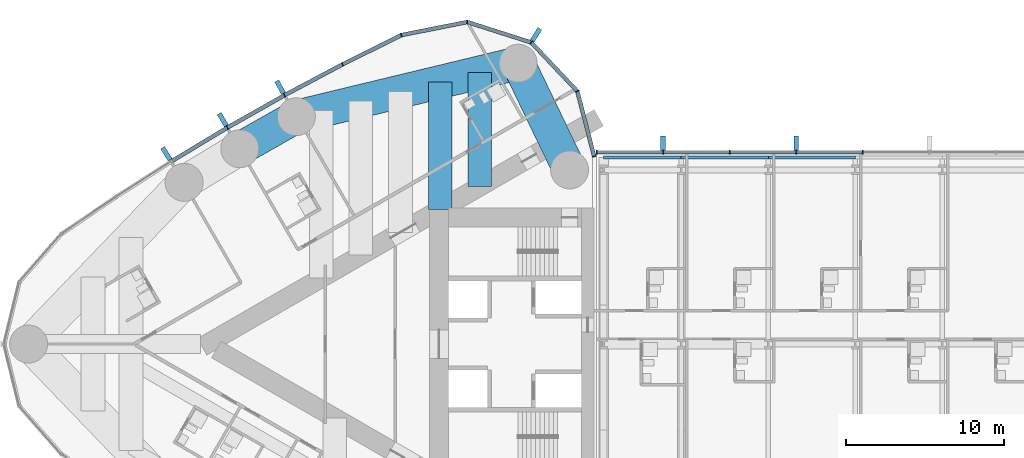
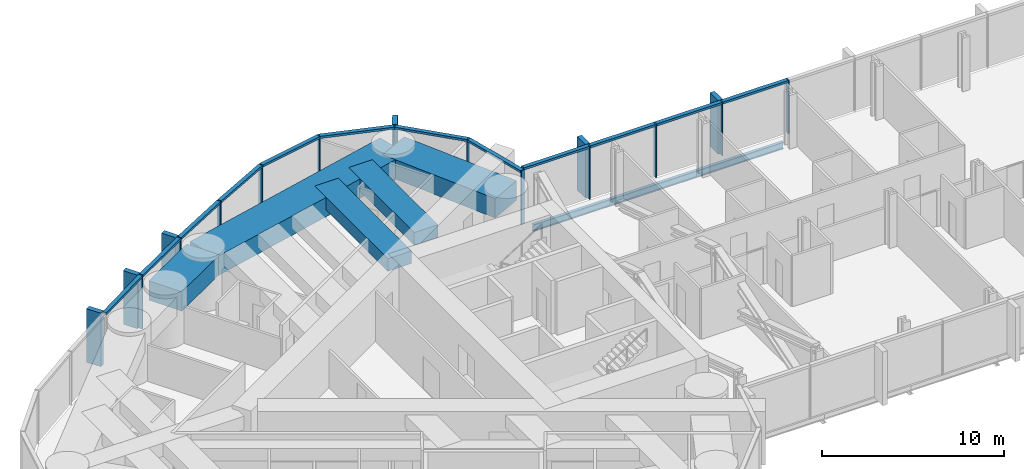
# One storey, part 5 of 22: 31 members, 8 beams, 2 elements without a shape of their own.
"""IFC4 building model written with IfcOpenShell, lengths in metres."""

import ifcopenshell
import ifcopenshell.guid

model = None  # the IFC model being written
_history = None  # IfcOwnerHistory: only IFC2X3 demands one
_inside = {}  # id of a spatial element -> (the spatial element, [elements in it])
_under = {}  # id of a project, library or spatial element -> (it, [spatial elements below it])
_declared = {}  # id of a project -> (the project, [libraries it declares])
_typed = {}  # id of a type object -> (the type object, [elements of that type])
_made_of = {}  # id of a material, layer set ... -> (it, [elements and type objects made of it])


def new_model(schema):
    """Start an empty IFC model of exactly this schema.

    Asked for "IFC4X3", IfcOpenShell would pick the latest addendum, in which some entities
    have other attributes; the version numbers below select the first issue.
    IFC2X3 requires an IfcOwnerHistory on every rooted entity: one is made here for all.
    """
    global model, _history
    if schema == "IFC4X3":
        model = ifcopenshell.file(schema_version=(4, 3, 0, 0))
    else:
        model = ifcopenshell.file(schema=schema)
    _inside.clear()
    _under.clear()
    _declared.clear()
    _typed.clear()
    _made_of.clear()
    _history = None
    if model.schema == "IFC2X3":
        org = make("IfcOrganization", Name="unknown")
        user = make(
            "IfcPersonAndOrganization",
            ThePerson=make("IfcPerson", FamilyName="unknown"),
            TheOrganization=org,
        )
        app = make(
            "IfcApplication",
            ApplicationDeveloper=org,
            Version="unknown",
            ApplicationFullName="unknown",
            ApplicationIdentifier="unknown",
        )
        _history = make(
            "IfcOwnerHistory",
            OwningUser=user,
            OwningApplication=app,
            ChangeAction="ADDED",
            CreationDate=0,
        )
    return model


def make(cls, **values):
    """One entity of the class cls with the attributes given. An attribute that is None is left unset."""
    return model.create_entity(
        cls, **{name: value for name, value in values.items() if value is not None}
    )


def rooted(cls, **values):
    """An entity with a GlobalId (a new one), such as an element, a storey or a relation."""
    return make(cls, GlobalId=ifcopenshell.guid.new(), OwnerHistory=_history, **values)


def si_unit(unit_type, name, prefix=None):
    """IfcSIUnit, for example si_unit("LENGTHUNIT", "METRE", prefix="MILLI")."""
    return make("IfcSIUnit", UnitType=unit_type, Prefix=prefix, Name=name)


def assignment(units):
    """IfcUnitAssignment: the units of a project."""
    return None if units is None else make("IfcUnitAssignment", Units=units)


def point(xyz):
    """IfcCartesianPoint."""
    return None if xyz is None else make("IfcCartesianPoint", Coordinates=xyz)


def direction(xyz):
    """IfcDirection."""
    return None if xyz is None else make("IfcDirection", DirectionRatios=xyz)


def frame(location, z_axis=None, x_axis=None):
    """IfcAxis2Placement3D, a coordinate frame: its origin and axes. An axis left out is left unset."""
    return make(
        "IfcAxis2Placement3D",
        Location=point(location),
        Axis=direction(z_axis),
        RefDirection=direction(x_axis),
    )


def frame_2d(location, x_axis=None):
    """IfcAxis2Placement2D, a coordinate frame in the plane: its origin and x axis."""
    return make(
        "IfcAxis2Placement2D", Location=point(location), RefDirection=direction(x_axis)
    )


def origin():
    """The frame at (0, 0, 0) with its axes left unset."""
    return frame((0.0, 0.0, 0.0))


def origin_2d():
    """The frame at (0, 0) in the plane with its x axis left unset."""
    return frame_2d((0.0, 0.0))


def place(relative_to, where):
    """IfcLocalPlacement: puts the frame where relative to a parent placement (None: the world)."""
    return make(
        "IfcLocalPlacement", PlacementRelTo=relative_to, RelativePlacement=where
    )


def context(
    kind, dimensions, precision=None, world=None, true_north=None, identifier=None
):
    """IfcGeometricRepresentationContext, for example the 3D "Model" context."""
    return make(
        "IfcGeometricRepresentationContext",
        ContextIdentifier=identifier,
        ContextType=kind,
        CoordinateSpaceDimension=dimensions,
        Precision=precision,
        WorldCoordinateSystem=world,
        TrueNorth=true_north,
    )


def subcontext(parent, identifier, kind, view, scale=None):
    """IfcGeometricRepresentationSubContext, for example "Body" below "Model"."""
    return make(
        "IfcGeometricRepresentationSubContext",
        ContextIdentifier=identifier,
        ContextType=kind,
        ParentContext=parent,
        TargetScale=scale,
        TargetView=view,
    )


def project(units=None, contexts=None):
    """IfcProject with its units and contexts."""
    return rooted(
        "IfcProject",
        Name="project",
        RepresentationContexts=contexts,
        UnitsInContext=assignment(units),
    )


def spatial(cls, under=None, at=None, **own):
    """A site, building, storey or space (cls), placed at a placement, below another one or the project."""
    s = rooted(cls, ObjectPlacement=at, **own)
    if under is not None:
        _under.setdefault(under.id(), (under, []))[1].append(s)
    return s


def profile(cls, at=None, kind="AREA", **sizes):
    """A parametric profile (cls). Its sizes go by their IFC names, for example OverallWidth=200.0."""
    return make(cls, ProfileType=kind, Position=at, **sizes)


def rectangle(**sizes):
    """IfcRectangleProfileDef."""
    return profile("IfcRectangleProfileDef", **sizes)


def i_section(**sizes):
    """IfcIShapeProfileDef."""
    return profile("IfcIShapeProfileDef", **sizes)


def extrude(swept, where, along, depth):
    """IfcExtrudedAreaSolid: the profile swept, set in the frame where, extruded along a direction by depth."""
    return make(
        "IfcExtrudedAreaSolid",
        SweptArea=swept,
        Position=where,
        ExtrudedDirection=direction(along),
        Depth=depth,
    )


def shape(context_of_items, identifier, shape_type, items):
    """IfcShapeRepresentation: the items that make up one representation, for example the "Body"."""
    return make(
        "IfcShapeRepresentation",
        ContextOfItems=context_of_items,
        RepresentationIdentifier=identifier,
        RepresentationType=shape_type,
        Items=items,
    )


def material(Name=None, Category=None):
    """IfcMaterial."""
    return make("IfcMaterial", Name=Name, Category=Category)


def material_profile(
    of_material, cross_section, Name=None, Category=None, Priority=None
):
    """IfcMaterialProfile: a cross section and its material."""
    return make(
        "IfcMaterialProfile",
        Name=Name,
        Material=of_material,
        Profile=cross_section,
        Priority=Priority,
        Category=Category,
    )


def profile_set(profiles, Name=None, composite=None):
    """IfcMaterialProfileSet."""
    return make(
        "IfcMaterialProfileSet",
        Name=Name,
        MaterialProfiles=profiles,
        CompositeProfile=composite,
    )


def made_of(thing, what):
    """Note that an element or type object is made of a material, layer set ...; save() writes the relation."""
    if what is not None:
        _made_of.setdefault(what.id(), (what, []))[1].append(thing)
    return thing


def type_object(cls, material=None, **own):
    """A type object (cls), such as IfcWallType, which elements share."""
    return made_of(rooted(cls, **own), material)


def element(
    cls,
    number,
    at=None,
    inside=None,
    cuts=None,
    type_object=None,
    material=None,
    context=None,
    identifier="Body",
    shape_type=None,
    held_by="IfcProductDefinitionShape",
    body=None,
    shapes=None,
    **own,
):
    """One element of the class cls, such as IfcWall. Its Tag is "e" and its number.

    at: its placement. inside: the storey or other place that contains it. cuts: it is an
    opening in that element (IfcRelVoidsElement). A single representation is given by context,
    identifier, shape_type and body (its items); several are given by shapes. held_by: the class
    of the entity that holds the representations. save() writes the other relations.
    """
    e = rooted(cls, Tag="e%d" % number, ObjectPlacement=at, **own)
    if body is not None:
        shapes = [shape(context, identifier, shape_type, body)]
    if shapes is not None:
        e.Representation = make(held_by, Representations=shapes)
    if inside is not None:
        _inside.setdefault(inside.id(), (inside, []))[1].append(e)
    if cuts is not None:
        rooted(
            "IfcRelVoidsElement", RelatingBuildingElement=cuts, RelatedOpeningElement=e
        )
    if type_object is not None:
        _typed.setdefault(type_object.id(), (type_object, []))[1].append(e)
    return made_of(e, material)


def aggregate(whole, parts):
    """IfcRelAggregates: a whole, such as a stair, and the parts it consists of."""
    return rooted("IfcRelAggregates", RelatingObject=whole, RelatedObjects=parts)


def save(model, path):
    """Write the relations noted so far, then the file.

    IfcRelAggregates (storeys below a building ...), IfcRelContainedInSpatialStructure (elements
    in a storey), IfcRelDefinesByType, IfcRelAssociatesMaterial and IfcRelDeclares: one each for
    every whole, place, type object, material and project.
    """
    for whole, parts in _under.values():
        aggregate(whole, parts)
    for where, things in _inside.values():
        rooted(
            "IfcRelContainedInSpatialStructure",
            RelatedElements=things,
            RelatingStructure=where,
        )
    for kind, things in _typed.values():
        rooted("IfcRelDefinesByType", RelatedObjects=things, RelatingType=kind)
    for what, things in _made_of.values():
        rooted("IfcRelAssociatesMaterial", RelatedObjects=things, RelatingMaterial=what)
    for by, libraries in _declared.values():
        rooted("IfcRelDeclares", RelatingContext=by, RelatedDefinitions=libraries)
    model.write(path)


model = new_model("IFC4")

# Units and contexts
model_context = context("Model", 3, precision=1e-05, world=origin(), true_north=direction((0.0, 1.0)))
body_context = subcontext(model_context, "Body", "Model", "MODEL_VIEW")
ifc_project = project(units=[si_unit("LENGTHUNIT", "METRE"), si_unit("AREAUNIT", "SQUARE_METRE"), si_unit("VOLUMEUNIT", "CUBIC_METRE"), si_unit("PLANEANGLEUNIT", "RADIAN"), si_unit("MASSUNIT", "GRAM", prefix="KILO")], contexts=[model_context])

# Site, building, storey
site_placement = place(None, origin())
site = spatial("IfcSite", under=ifc_project, at=site_placement, CompositionType="ELEMENT")
building_placement = place(site_placement, origin())
building = spatial("IfcBuilding", under=site, at=building_placement, Name="Lancet Gate Hotel", CompositionType="ELEMENT")
storey_placement = place(building_placement, frame((0.0, 0.0, 229.699951171875)))
storey = spatial("IfcBuildingStorey", under=building, at=storey_placement, Name="L61", CompositionType="ELEMENT", Elevation=229.699951171875)

# Curtain wall, members
ifc_material_1 = material(Name="Aluminium curtain wall", Category="aluminium")
curtain_wall_type_1 = type_object("IfcCurtainWallType", Name="Tower unitised curtain wall", PredefinedType="USERDEFINED", material=ifc_material_1)
curtain_wall_1_placement = place(storey_placement, origin())
curtain_wall_1 = element("IfcCurtainWall", 1, at=curtain_wall_1_placement, inside=storey, type_object=curtain_wall_type_1, Name="T1 L61 curtain wall 1", ObjectType="UNITISED CURTAIN WALL", PredefinedType="USERDEFINED")
ifc_material_2 = material(Name="Aluminium mullion", Category="aluminium")
ifc_material_profile_1 = material_profile(ifc_material_2, rectangle(XDim=0.06494140625, YDim=0.25, at=origin_2d()), Name="MULLION 65x250")
ifc_profile_set_1 = profile_set([ifc_material_profile_1], Name="Aluminium mullion")
member_type_1 = type_object("IfcMemberType", Name="Aluminium mullion 65x250", PredefinedType="MULLION", material=ifc_profile_set_1)
member_1_placement = place(storey_placement, frame((-27.5, 11.861572265625, 0.0), z_axis=(0.0, 0.0, 1.0), x_axis=(-0.249725827997, 0.968316586056, 0.0)))
member_1 = element("IfcMember", 2, at=member_1_placement, type_object=member_type_1, Name="T1 L61 curtain wall 1 mullion 1", PredefinedType="MULLION", context=body_context, shape_type="SweptSolid", body=[
    extrude(rectangle(XDim=0.06494140625, YDim=0.25, at=origin_2d()), origin(), (0.0, 0.0, 1.0), 3.60009765625),
])
member_2_placement = place(storey_placement, frame((-28.56005859375, 15.97216796875, 0.0), z_axis=(0.0, 0.0, 1.0), x_axis=(-0.483627322447, 0.875274021654, 0.0)))
member_2 = element("IfcMember", 3, at=member_2_placement, type_object=member_type_1, Name="T1 L61 curtain wall 1 mullion 2", PredefinedType="MULLION", context=body_context, shape_type="SweptSolid", body=[
    extrude(rectangle(XDim=0.06494140625, YDim=0.25, at=origin_2d()), origin(), (0.0, 0.0, 1.0), 3.60009765625),
])
member_3_placement = place(storey_placement, frame((-31.476318359375, 19.0576171875, 0.0), z_axis=(0.0, 0.0, 1.0), x_axis=(-0.846612863, 0.532209225966, 0.0)))
member_3 = element("IfcMember", 4, at=member_3_placement, type_object=member_type_1, Name="T1 L61 curtain wall 1 mullion 3", PredefinedType="MULLION", context=body_context, shape_type="SweptSolid", body=[
    extrude(rectangle(XDim=0.06494140625, YDim=0.25, at=origin_2d()), origin(), (0.0, 0.0, 1.0), 3.60009765625),
])
member_4_placement = place(storey_placement, frame((-35.520751953125, 20.347900390625, 0.0), z_axis=(0.0, 0.0, 1.0), x_axis=(-0.998409168318, 0.056383797491, 0.0)))
member_4 = element("IfcMember", 5, at=member_4_placement, type_object=member_type_1, Name="T1 L61 curtain wall 1 mullion 4", PredefinedType="MULLION", context=body_context, shape_type="SweptSolid", body=[
    extrude(rectangle(XDim=0.06494140625, YDim=0.25, at=origin_2d()), origin(), (0.0, 0.0, 1.0), 3.60009765625),
])
member_5_placement = place(storey_placement, frame((-39.684814453125, 19.521240234375, 0.0), z_axis=(0.0, 0.0, 1.0), x_axis=(-0.946887706423, -0.321564412561, 0.0)))
member_5 = element("IfcMember", 6, at=member_5_placement, type_object=member_type_1, Name="T1 L61 curtain wall 1 mullion 5", PredefinedType="MULLION", context=body_context, shape_type="SweptSolid", body=[
    extrude(rectangle(XDim=0.06494140625, YDim=0.25, at=origin_2d()), origin(), (0.0, 0.0, 1.0), 3.60009765625),
])
member_6_placement = place(storey_placement, frame((-43.3994140625, 17.67236328125, 0.0), z_axis=(0.0, 0.0, 1.0), x_axis=(-0.889155526065, -0.457605125046, 0.0)))
member_6 = element("IfcMember", 7, at=member_6_placement, type_object=member_type_1, Name="T1 L61 curtain wall 1 mullion 6", PredefinedType="MULLION", context=body_context, shape_type="SweptSolid", body=[
    extrude(rectangle(XDim=0.06494140625, YDim=0.25, at=origin_2d()), origin(), (0.0, 0.0, 1.0), 3.60009765625),
])
member_7_placement = place(storey_placement, frame((-47.062744140625, 15.72412109375, 0.0), z_axis=(0.0, 0.0, 1.0), x_axis=(-0.876516407283, -0.481371984815, 0.0)))
member_7 = element("IfcMember", 8, at=member_7_placement, type_object=member_type_1, Name="T1 L61 curtain wall 1 mullion 7", PredefinedType="MULLION", context=body_context, shape_type="SweptSolid", body=[
    extrude(rectangle(XDim=0.06494140625, YDim=0.25, at=origin_2d()), origin(), (0.0, 0.0, 1.0), 3.60009765625),
])
member_8_placement = place(storey_placement, frame((-50.67236328125, 13.677978515625, 0.0), z_axis=(0.0, 0.0, 1.0), x_axis=(-0.863242155108, -0.504790037189, 0.0)))
member_8 = element("IfcMember", 9, at=member_8_placement, type_object=member_type_1, Name="T1 L61 curtain wall 1 mullion 8", PredefinedType="MULLION", context=body_context, shape_type="SweptSolid", body=[
    extrude(rectangle(XDim=0.06494140625, YDim=0.25, at=origin_2d()), origin(), (0.0, 0.0, 1.0), 3.60009765625),
])

ifc_material_3 = material(Name="Aluminium curtain wall", Category="aluminium")
curtain_wall_type_2 = type_object("IfcCurtainWallType", Name="Bridge block curtain wall", PredefinedType="USERDEFINED", material=ifc_material_3)
curtain_wall_2_placement = place(storey_placement, origin())
curtain_wall_2 = element("IfcCurtainWall", 10, at=curtain_wall_2_placement, inside=storey, type_object=curtain_wall_type_2, Name="Bridge block L61 curtain wall N", ObjectType="UNITISED CURTAIN WALL", PredefinedType="USERDEFINED")
member_9_placement = place(storey_placement, frame((-10.519287109375, 12.1201171875, 0.0), z_axis=(0.0, 0.0, 1.0), x_axis=(-1.0, 0.0, 0.0)))
member_9 = element("IfcMember", 11, at=member_9_placement, type_object=member_type_1, Name="Bridge block L61 curtain wall N mullion 10", PredefinedType="MULLION", context=body_context, shape_type="SweptSolid", body=[
    extrude(rectangle(XDim=0.06494140625, YDim=0.25, at=origin_2d()), origin(), (0.0, 0.0, 1.0), 3.60009765625),
])
member_10_placement = place(storey_placement, frame((-14.726806640625, 12.1201171875, 0.0), z_axis=(0.0, 0.0, 1.0), x_axis=(-1.0, 0.0, 0.0)))
member_10 = element("IfcMember", 12, at=member_10_placement, type_object=member_type_1, Name="Bridge block L61 curtain wall N mullion 11", PredefinedType="MULLION", context=body_context, shape_type="SweptSolid", body=[
    extrude(rectangle(XDim=0.06494140625, YDim=0.25, at=origin_2d()), origin(), (0.0, 0.0, 1.0), 3.60009765625),
])
member_11_placement = place(storey_placement, frame((-18.9345703125, 12.1201171875, 0.0), z_axis=(0.0, 0.0, 1.0), x_axis=(-1.0, 0.0, 0.0)))
member_11 = element("IfcMember", 13, at=member_11_placement, type_object=member_type_1, Name="Bridge block L61 curtain wall N mullion 12", PredefinedType="MULLION", context=body_context, shape_type="SweptSolid", body=[
    extrude(rectangle(XDim=0.06494140625, YDim=0.25, at=origin_2d()), origin(), (0.0, 0.0, 1.0), 3.60009765625),
])
member_12_placement = place(storey_placement, frame((-23.142333984375, 12.1201171875, 0.0), z_axis=(0.0, 0.0, 1.0), x_axis=(-1.0, 0.0, 0.0)))
member_12 = element("IfcMember", 14, at=member_12_placement, type_object=member_type_1, Name="Bridge block L61 curtain wall N mullion 13", PredefinedType="MULLION", context=body_context, shape_type="SweptSolid", body=[
    extrude(rectangle(XDim=0.06494140625, YDim=0.25, at=origin_2d()), origin(), (0.0, 0.0, 1.0), 3.60009765625),
])
member_13_placement = place(storey_placement, frame((-27.35009765625, 12.1201171875, 0.0), z_axis=(0.0, 0.0, 1.0), x_axis=(-1.0, 0.0, 0.0)))
member_13 = element("IfcMember", 15, at=member_13_placement, type_object=member_type_1, Name="Bridge block L61 curtain wall N mullion 14", PredefinedType="MULLION", context=body_context, shape_type="SweptSolid", body=[
    extrude(rectangle(XDim=0.06494140625, YDim=0.25, at=origin_2d()), origin(), (0.0, 0.0, 1.0), 3.60009765625),
])

# Member
ifc_material_4 = material(Name="Aluminium transom", Category="aluminium")
ifc_material_profile_2 = material_profile(ifc_material_4, rectangle(XDim=0.25, YDim=0.14990234375, at=origin_2d()), Name="TRANSOM 250x150")
ifc_profile_set_2 = profile_set([ifc_material_profile_2], Name="Aluminium transom")
member_type_2 = type_object("IfcMemberType", Name="Aluminium transom 250x150", PredefinedType="USERDEFINED", material=ifc_profile_set_2)
member_14_placement = place(storey_placement, frame((-27.508056640625, 11.892822265625, 3.525146484375), z_axis=(-0.249715522936, 0.968319243641, 0.0), x_axis=(-0.968319243641, -0.249715522936, 0.0)))
member_14 = element("IfcMember", 16, at=member_14_placement, type_object=member_type_2, Name="T1 L61 curtain wall 1 transom 1", ObjectType="TRANSOM", PredefinedType="USERDEFINED", context=body_context, shape_type="SweptSolid", body=[
    extrude(rectangle(XDim=0.25, YDim=0.14990234375, at=origin_2d()), origin(), (0.0, 0.0, 1.0), 4.180419921875),
])

member_15_placement = place(storey_placement, frame((-28.58251953125, 15.995849609375, 3.525146484375), z_axis=(-0.686880731091, 0.726770157103, 0.0), x_axis=(-0.726770157103, -0.686880731091, 0.0)))
member_15 = element("IfcMember", 17, at=member_15_placement, type_object=member_type_2, Name="T1 L61 curtain wall 1 transom 2", ObjectType="TRANSOM", PredefinedType="USERDEFINED", context=body_context, shape_type="SweptSolid", body=[
    extrude(rectangle(XDim=0.25, YDim=0.14990234375, at=origin_2d()), origin(), (0.0, 0.0, 1.0), 4.18017578125),
])

member_16_placement = place(storey_placement, frame((-31.507080078125, 19.067626953125, 3.525146484375), z_axis=(-0.952697713775, 0.303919506068, 0.0), x_axis=(-0.303919506068, -0.952697713775, 0.0)))
member_16 = element("IfcMember", 18, at=member_16_placement, type_object=member_type_2, Name="T1 L61 curtain wall 1 transom 3", ObjectType="TRANSOM", PredefinedType="USERDEFINED", context=body_context, shape_type="SweptSolid", body=[
    extrude(rectangle(XDim=0.25, YDim=0.14990234375, at=origin_2d()), origin(), (0.0, 0.0, 1.0), 4.180419921875),
])

member_17_placement = place(storey_placement, frame((-35.552734375, 20.341552734375, 3.525146484375), z_axis=(-0.980858234867, -0.194723196085, 0.0), x_axis=(0.194723196085, -0.980858234867, 0.0)))
member_17 = element("IfcMember", 19, at=member_17_placement, type_object=member_type_2, Name="T1 L61 curtain wall 1 transom 4", ObjectType="TRANSOM", PredefinedType="USERDEFINED", context=body_context, shape_type="SweptSolid", body=[
    extrude(rectangle(XDim=0.25, YDim=0.14990234375, at=origin_2d()), origin(), (0.0, 0.0, 1.0), 4.18017578125),
])

member_18_placement = place(storey_placement, frame((-39.7138671875, 19.5068359375, 3.525146484375), z_axis=(-0.895226720479, -0.445610950202, 0.0), x_axis=(0.445610950202, -0.895226720479, 0.0)))
member_18 = element("IfcMember", 20, at=member_18_placement, type_object=member_type_2, Name="T1 L61 curtain wall 1 transom 5", ObjectType="TRANSOM", PredefinedType="USERDEFINED", context=body_context, shape_type="SweptSolid", body=[
    extrude(rectangle(XDim=0.25, YDim=0.14990234375, at=origin_2d()), origin(), (0.0, 0.0, 1.0), 4.08447265625),
])

member_19_placement = place(storey_placement, frame((-43.427978515625, 17.656982421875, 3.525146484375), z_axis=(-0.882944619844, -0.469477154171, 0.0), x_axis=(0.469477154171, -0.882944619844, 0.0)))
member_19 = element("IfcMember", 21, at=member_19_placement, type_object=member_type_2, Name="T1 L61 curtain wall 1 transom 6", ObjectType="TRANSOM", PredefinedType="USERDEFINED", context=body_context, shape_type="SweptSolid", body=[
    extrude(rectangle(XDim=0.25, YDim=0.14990234375, at=origin_2d()), origin(), (0.0, 0.0, 1.0), 4.084228515625),
])

member_20_placement = place(storey_placement, frame((-47.091064453125, 15.7080078125, 3.525146484375), z_axis=(-0.869977740049, -0.493090997503, 0.0), x_axis=(0.493090997503, -0.869977740049, 0.0)))
member_20 = element("IfcMember", 22, at=member_20_placement, type_object=member_type_2, Name="T1 L61 curtain wall 1 transom 7", ObjectType="TRANSOM", PredefinedType="USERDEFINED", context=body_context, shape_type="SweptSolid", body=[
    extrude(rectangle(XDim=0.25, YDim=0.14990234375, at=origin_2d()), origin(), (0.0, 0.0, 1.0), 4.084228515625),
])

member_21_placement = place(storey_placement, frame((-50.7001953125, 13.661376953125, 3.525146484375), z_axis=(-0.856362214892, -0.516375596737, 0.0), x_axis=(0.516375596737, -0.856362214892, 0.0)))
member_21 = element("IfcMember", 23, at=member_21_placement, type_object=member_type_2, Name="T1 L61 curtain wall 1 transom 8", ObjectType="TRANSOM", PredefinedType="USERDEFINED", context=body_context, shape_type="SweptSolid", body=[
    extrude(rectangle(XDim=0.25, YDim=0.14990234375, at=origin_2d()), origin(), (0.0, 0.0, 1.0), 4.08447265625),
])

member_22_placement = place(storey_placement, frame((-10.5517578125, 12.1201171875, 3.525146484375), z_axis=(-1.0, 0.0, 0.0), x_axis=(0.0, -1.0, 0.0)))
member_22 = element("IfcMember", 24, at=member_22_placement, type_object=member_type_2, Name="Bridge block L61 curtain wall N transom 10", ObjectType="TRANSOM", PredefinedType="USERDEFINED", context=body_context, shape_type="SweptSolid", body=[
    extrude(rectangle(XDim=0.25, YDim=0.14990234375, at=origin_2d()), origin(), (0.0, 0.0, 1.0), 4.142578125),
])

member_23_placement = place(storey_placement, frame((-14.759521484375, 12.1201171875, 3.525146484375), z_axis=(-1.0, 0.0, 0.0), x_axis=(0.0, -1.0, 0.0)))
member_23 = element("IfcMember", 25, at=member_23_placement, type_object=member_type_2, Name="Bridge block L61 curtain wall N transom 11", ObjectType="TRANSOM", PredefinedType="USERDEFINED", context=body_context, shape_type="SweptSolid", body=[
    extrude(rectangle(XDim=0.25, YDim=0.14990234375, at=origin_2d()), origin(), (0.0, 0.0, 1.0), 4.142578125),
])

member_24_placement = place(storey_placement, frame((-18.967041015625, 12.1201171875, 3.525146484375), z_axis=(-1.0, 0.0, 0.0), x_axis=(0.0, -1.0, 0.0)))
member_24 = element("IfcMember", 26, at=member_24_placement, type_object=member_type_2, Name="Bridge block L61 curtain wall N transom 12", ObjectType="TRANSOM", PredefinedType="USERDEFINED", context=body_context, shape_type="SweptSolid", body=[
    extrude(rectangle(XDim=0.25, YDim=0.14990234375, at=origin_2d()), origin(), (0.0, 0.0, 1.0), 4.142822265625),
])

member_25_placement = place(storey_placement, frame((-23.1748046875, 12.1201171875, 3.525146484375), z_axis=(-1.0, 0.0, 0.0), x_axis=(0.0, -1.0, 0.0)))
member_25 = element("IfcMember", 27, at=member_25_placement, type_object=member_type_2, Name="Bridge block L61 curtain wall N transom 13", ObjectType="TRANSOM", PredefinedType="USERDEFINED", context=body_context, shape_type="SweptSolid", body=[
    extrude(rectangle(XDim=0.25, YDim=0.14990234375, at=origin_2d()), origin(), (0.0, 0.0, 1.0), 4.142578125),
])

# Beams
ifc_material_5 = material(Name="Steel S355", Category="steel")
ifc_material_profile_3 = material_profile(ifc_material_5, i_section(OverallWidth=0.19140625, OverallDepth=0.4599609375, WebThickness=0.010009765625, FlangeThickness=0.01611328125, FilletRadius=0.01025390625, at=origin_2d()), Name="UKB 457x191x82")
ifc_profile_set_3 = profile_set([ifc_material_profile_3], Name="Steel S355")
beam_type_1 = type_object("IfcBeamType", Name="Block edge beam UKB 457x191x82", PredefinedType="SPANDREL", material=ifc_profile_set_3)
beam_1_placement = place(storey_placement, frame((-26.89990234375, 11.800048828125, -0.429931640625), z_axis=(1.0, 0.0, 0.0), x_axis=(0.0, 1.0, 0.0)))
element("IfcBeam", 28, at=beam_1_placement, inside=storey, type_object=beam_type_1, Name="Block edge beam N 0-1 L61", PredefinedType="SPANDREL", context=body_context, shape_type="SweptSolid", body=[
    extrude(i_section(OverallWidth=0.19140625, OverallDepth=0.4599609375, WebThickness=0.010009765625, FlangeThickness=0.01611328125, FilletRadius=0.01025390625, at=origin_2d()), origin(), (0.0, 0.0, 1.0), 4.89990234375),
])
for number, where, z_axis, x_axis, name in (
    (29, (-22.0, 11.800048828125, -0.429931640625), (1.0, 0.0, 0.0), (0.0, 1.0, 0.0), "Block edge beam N 1-2 L61"),
    (30, (-16.5, 11.800048828125, -0.429931640625), (1.0, 0.0, 0.0), (0.0, 1.0, 0.0), "Block edge beam N 2-3 L61"),
):
    element("IfcBeam", number, at=place(storey_placement, frame(where, z_axis=z_axis, x_axis=x_axis)), inside=storey, type_object=beam_type_1, Name=name, PredefinedType="SPANDREL", context=body_context, shape_type="SweptSolid", body=[
        extrude(i_section(OverallWidth=0.19140625, OverallDepth=0.4599609375, WebThickness=0.010009765625, FlangeThickness=0.01611328125, FilletRadius=0.01025390625, at=origin_2d()), origin(), (0.0, 0.0, 1.0), 5.5),
    ])
ifc_material_6 = material(Name="Concrete C50/60", Category="concrete")
ifc_material_profile_4 = material_profile(ifc_material_6, rectangle(XDim=2.10009765625, YDim=1.300048828125, at=origin_2d()), Name="RC 2100x1300")
ifc_profile_set_4 = profile_set([ifc_material_profile_4], Name="Concrete C50/60")
beam_type_2 = type_object("IfcBeamType", Name="Edge beam RC 2100x1300", PredefinedType="SPANDREL", material=ifc_profile_set_4)
beam_2_placement = place(storey_placement, frame((-32.301025390625, 17.745361328125, 2.699951171875), z_axis=(-0.972132796948, -0.234430853556, 0.0), x_axis=(0.234430853556, -0.972132796948, 0.0)))
element("IfcBeam", 31, at=beam_2_placement, inside=storey, type_object=beam_type_2, Name="T1 edge beam EB1 L61", PredefinedType="SPANDREL", context=body_context, shape_type="SweptSolid", body=[
    extrude(rectangle(XDim=2.10009765625, YDim=1.300048828125, at=origin_2d()), origin(), (0.0, 0.0, 1.0), 14.41748046875),
])
beam_3_placement = place(storey_placement, frame((-46.316650390625, 14.365478515625, 2.699951171875), z_axis=(-0.869978841992, -0.493089053301, 0.0), x_axis=(0.493089053301, -0.869978841992, 0.0)))
element("IfcBeam", 32, at=beam_3_placement, inside=storey, type_object=beam_type_2, Name="T1 edge beam EB1 L61", PredefinedType="SPANDREL", context=body_context, shape_type="SweptSolid", body=[
    extrude(rectangle(XDim=2.10009765625, YDim=1.300048828125, at=origin_2d()), origin(), (0.0, 0.0, 1.0), 4.107666015625),
])
beam_4_placement = place(storey_placement, frame((-32.301025390625, 17.745361328125, 2.699951171875), z_axis=(0.434163599361, -0.900834040759, 0.0), x_axis=(0.900834040759, 0.434163599361, 0.0)))
element("IfcBeam", 33, at=beam_4_placement, inside=storey, type_object=beam_type_2, Name="T1 edge beam EB1 L61", PredefinedType="SPANDREL", context=body_context, shape_type="SweptSolid", body=[
    extrude(rectangle(XDim=2.10009765625, YDim=1.300048828125, at=origin_2d()), origin(), (0.0, 0.0, 1.0), 7.48779296875),
])

# Member
ifc_material_7 = material(Name="Precast concrete C50/60", Category="concrete")
ifc_material_profile_5 = material_profile(ifc_material_7, rectangle(XDim=0.300048828125, YDim=0.89990234375, at=origin_2d()), Name="FIN 300x900")
ifc_profile_set_5 = profile_set([ifc_material_profile_5], Name="Precast concrete C50/60")
member_type_3 = type_object("IfcMemberType", Name="Exposed concrete fin 300x900", PredefinedType="USERDEFINED", material=ifc_profile_set_5)
member_26_placement = place(storey_placement, frame((-31.170166015625, 19.54443359375, 0.0), z_axis=(0.0, 0.0, 1.0), x_axis=(-0.846612863, 0.532209225966, 0.0)))
member_26 = element("IfcMember", 34, at=member_26_placement, type_object=member_type_3, Name="T1 L61 curtain wall 1 fin 3", ObjectType="FIN", PredefinedType="USERDEFINED", context=body_context, shape_type="SweptSolid", body=[
    extrude(rectangle(XDim=0.300048828125, YDim=0.89990234375, at=origin_2d()), origin(), (0.0, 0.0, 1.0), 3.60009765625),
])

member_27_placement = place(storey_placement, frame((-47.339599609375, 16.22802734375, 0.0), z_axis=(0.0, 0.0, 1.0), x_axis=(-0.876516407283, -0.481371984815, 0.0)))
member_27 = element("IfcMember", 35, at=member_27_placement, type_object=member_type_3, Name="T1 L61 curtain wall 1 fin 7", ObjectType="FIN", PredefinedType="USERDEFINED", context=body_context, shape_type="SweptSolid", body=[
    extrude(rectangle(XDim=0.300048828125, YDim=0.89990234375, at=origin_2d()), origin(), (0.0, 0.0, 1.0), 3.60009765625),
])

member_28_placement = place(storey_placement, frame((-50.962646484375, 14.17431640625, 0.0), z_axis=(0.0, 0.0, 1.0), x_axis=(-0.863242155108, -0.504790037189, 0.0)))
member_28 = element("IfcMember", 36, at=member_28_placement, type_object=member_type_3, Name="T1 L61 curtain wall 1 fin 8", ObjectType="FIN", PredefinedType="USERDEFINED", context=body_context, shape_type="SweptSolid", body=[
    extrude(rectangle(XDim=0.300048828125, YDim=0.89990234375, at=origin_2d()), origin(), (0.0, 0.0, 1.0), 3.60009765625),
])

member_29_placement = place(storey_placement, frame((-54.529296875, 12.02392578125, 0.0), z_axis=(0.0, 0.0, 1.0), x_axis=(-0.849342388216, -0.527842313176, 0.0)))
member_29 = element("IfcMember", 37, at=member_29_placement, type_object=member_type_3, Name="T1 L61 curtain wall 1 fin 9", ObjectType="FIN", PredefinedType="USERDEFINED", context=body_context, shape_type="SweptSolid", body=[
    extrude(rectangle(XDim=0.300048828125, YDim=0.89990234375, at=origin_2d()), origin(), (0.0, 0.0, 1.0), 3.60009765625),
])

aggregate(curtain_wall_1, [member_1, member_2, member_3, member_26, member_4, member_5, member_6, member_7, member_27, member_8, member_28, member_29, member_14, member_15, member_16, member_17, member_18, member_19, member_20, member_21])

member_30_placement = place(storey_placement, frame((-14.726806640625, 12.695068359375, 0.0), z_axis=(0.0, 0.0, 1.0), x_axis=(-1.0, 0.0, 0.0)))
member_30 = element("IfcMember", 38, at=member_30_placement, type_object=member_type_3, Name="Bridge block L61 curtain wall N fin 11", ObjectType="FIN", PredefinedType="USERDEFINED", context=body_context, shape_type="SweptSolid", body=[
    extrude(rectangle(XDim=0.300048828125, YDim=0.89990234375, at=origin_2d()), origin(), (0.0, 0.0, 1.0), 3.60009765625),
])

member_31_placement = place(storey_placement, frame((-23.142333984375, 12.695068359375, 0.0), z_axis=(0.0, 0.0, 1.0), x_axis=(-1.0, 0.0, 0.0)))
member_31 = element("IfcMember", 39, at=member_31_placement, type_object=member_type_3, Name="Bridge block L61 curtain wall N fin 13", ObjectType="FIN", PredefinedType="USERDEFINED", context=body_context, shape_type="SweptSolid", body=[
    extrude(rectangle(XDim=0.300048828125, YDim=0.89990234375, at=origin_2d()), origin(), (0.0, 0.0, 1.0), 3.60009765625),
])

aggregate(curtain_wall_2, [member_9, member_10, member_30, member_11, member_12, member_31, member_13, member_22, member_23, member_24, member_25])

# Beams
ifc_material_8 = material(Name="Concrete C50/60", Category="concrete")
ifc_material_profile_6 = material_profile(ifc_material_8, rectangle(XDim=1.5, YDim=0.85009765625, at=origin_2d()), Name="RC 1500x850")
ifc_profile_set_6 = profile_set([ifc_material_profile_6], Name="Concrete C50/60")
beam_type_3 = type_object("IfcBeamType", Name="Floor beam RC 1500x850", PredefinedType="BEAM", material=ifc_profile_set_6)
beam_5_placement = place(storey_placement, frame((-34.720458984375, 17.161865234375, 2.925048828125), z_axis=(0.0, -1.0, 0.0), x_axis=(1.0, 0.0, 0.0)))
element("IfcBeam", 40, at=beam_5_placement, inside=storey, type_object=beam_type_3, Name="T1 floor beam F02S L61", PredefinedType="BEAM", context=body_context, shape_type="SweptSolid", body=[
    extrude(rectangle(XDim=1.5, YDim=0.85009765625, at=origin_2d()), origin(), (0.0, 0.0, 1.0), 7.203857421875),
])
beam_6_placement = place(storey_placement, frame((-37.227294921875, 16.557373046875, 2.925048828125), z_axis=(0.0, -1.0, 0.0), x_axis=(1.0, 0.0, 0.0)))
element("IfcBeam", 41, at=beam_6_placement, inside=storey, type_object=beam_type_3, Name="T1 floor beam F03S L61", PredefinedType="BEAM", context=body_context, shape_type="SweptSolid", body=[
    extrude(rectangle(XDim=1.5, YDim=0.85009765625, at=origin_2d()), origin(), (0.0, 0.0, 1.0), 8.046630859375),
])

save(model, "model.ifc")
